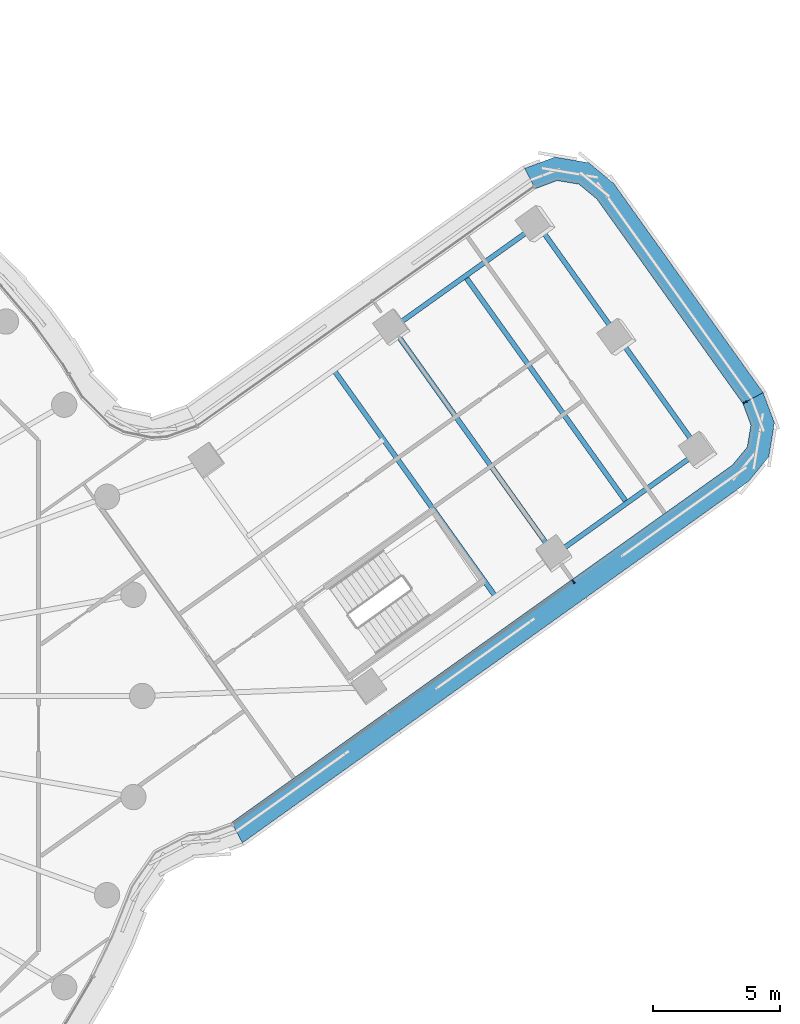
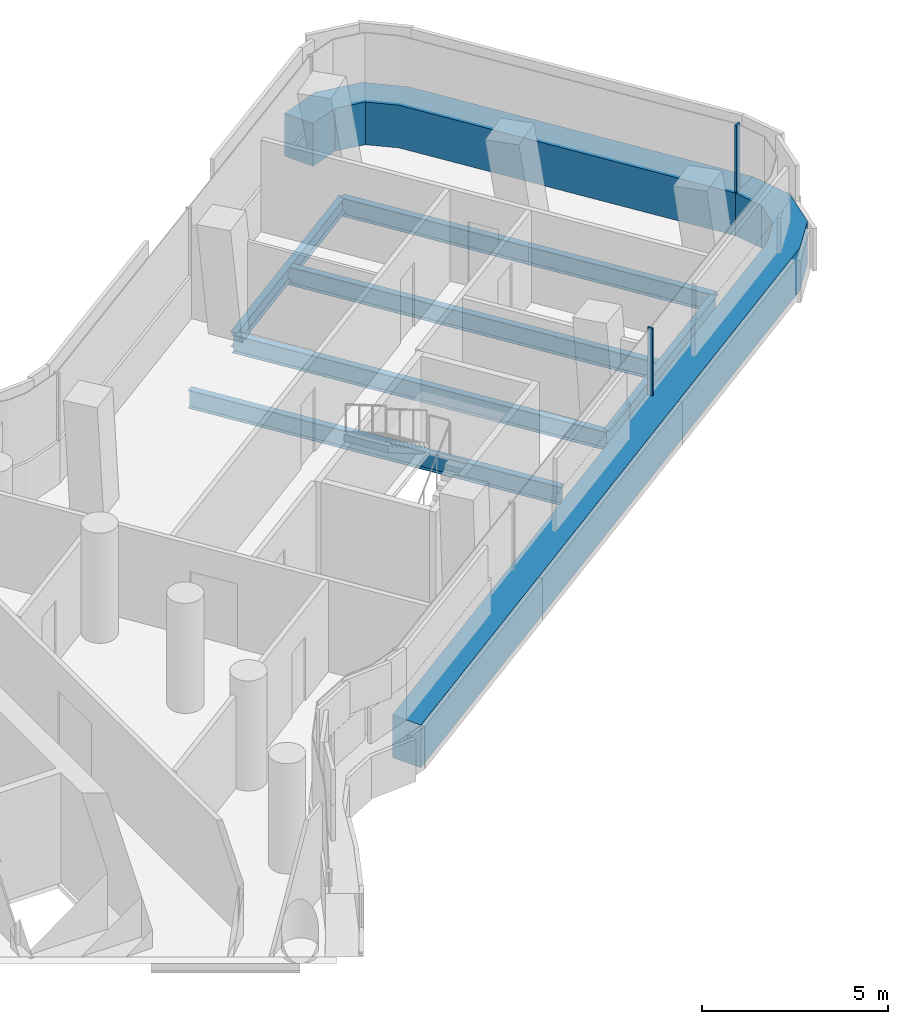
# One storey, part 12 of 31: 7 beams, 4 members, 2 elements without a shape of their own.
"""IFC4 building model written with IfcOpenShell, lengths in metres."""

from ifc_helpers import new_model, si_unit, direction, frame, origin, origin_2d, place, context, subcontext, project, spatial, polyline, rectangle, i_section, outline, extrude, material, layer, layer_set, material_profile, profile_set, type_object, element, aggregate, save


model = new_model("IFC4")

# Units and contexts
model_context = context("Model", 3, precision=1e-05, world=origin(), true_north=direction((0.0, 1.0)))
body_context = subcontext(model_context, "Body", "Model", "MODEL_VIEW")
ifc_project = project(units=[si_unit("LENGTHUNIT", "METRE"), si_unit("AREAUNIT", "SQUARE_METRE"), si_unit("VOLUMEUNIT", "CUBIC_METRE"), si_unit("PLANEANGLEUNIT", "RADIAN"), si_unit("MASSUNIT", "GRAM", prefix="KILO")], contexts=[model_context])

# Site, building, storey
site_placement = place(None, origin())
site = spatial("IfcSite", under=ifc_project, at=site_placement, CompositionType="ELEMENT")
building_placement = place(site_placement, origin())
building = spatial("IfcBuilding", under=site, at=building_placement, Name="Tamarind Cross Interchange Tower", CompositionType="ELEMENT")
storey_placement = place(building_placement, frame((0.0, 0.0, 163.0)))
storey = spatial("IfcBuildingStorey", under=building, at=storey_placement, Name="L40", CompositionType="ELEMENT", Elevation=163.0)

# Beams
ifc_material_1 = material(Name="Steel Q355B", Category="steel")
ifc_material_profile_1 = material_profile(ifc_material_1, i_section(OverallWidth=0.198974609375, OverallDepth=0.49609375, WebThickness=0.009033203125, FlangeThickness=0.013916015625, FilletRadius=0.012939453125, at=origin_2d()), Name="HN 496x199x9x14")
ifc_profile_set_1 = profile_set([ifc_material_profile_1], Name="Steel Q355B")
beam_type_1 = type_object("IfcBeamType", Name="Composite beam HN 496x199x9x14 Q355B", PredefinedType="BEAM", material=ifc_profile_set_1)
for number, where, z_axis, x_axis, name in (
    (1, (45.009033203125, 9.66845703125, -0.387939453125), (-0.813873952861, -0.581041469135, 0.0), (0.581041469135, -0.813873952861, 0.0), "Beam E-edgeem5"),
    (2, (38.61767578125, 18.62109375, -0.387939453125), (-0.813890342448, -0.581018511297, 0.0), (0.581018511297, -0.813890342448, 0.0), "Beam E-edgeep2"),
):
    element("IfcBeam", number, at=place(storey_placement, frame(where, z_axis=z_axis, x_axis=x_axis)), inside=storey, type_object=beam_type_1, Name=name, PredefinedType="BEAM", context=body_context, shape_type="SweptSolid", body=[
        extrude(i_section(OverallWidth=0.198974609375, OverallDepth=0.49609375, WebThickness=0.009033203125, FlangeThickness=0.013916015625, FilletRadius=0.012939453125, at=origin_2d()), origin(), (0.0, 0.0, 1.0), 7.044189453125),
    ])
ifc_material_profile_2 = material_profile(ifc_material_1, i_section(OverallWidth=0.199951171875, OverallDepth=0.60009765625, WebThickness=0.010986328125, FlangeThickness=0.01708984375, FilletRadius=0.012939453125, at=origin_2d()), Name="HN 600x200x11x17")
ifc_profile_set_2 = profile_set([ifc_material_profile_2], Name="Steel Q355B")
beam_type_2 = type_object("IfcBeamType", Name="Composite beam HN 600x200x11x17 Q355B", PredefinedType="BEAM", material=ifc_profile_set_2)
for number, where, z_axis, x_axis, name in (
    (3, (45.009033203125, 9.66845703125, -0.43994140625), (-0.581019822317, 0.813889406538, 0.0), (-0.813889406538, -0.581019822317, 0.0), "Beam E-tip0"),
    (4, (41.8134765625, 14.144775390625, -0.43994140625), (-0.581049225779, 0.813868415176, 0.0), (-0.813868415176, -0.581049225779, 0.0), "Beam E-tip1"),
):
    element("IfcBeam", number, at=place(storey_placement, frame(where, z_axis=z_axis, x_axis=x_axis)), inside=storey, type_object=beam_type_2, Name=name, PredefinedType="BEAM", context=body_context, shape_type="SweptSolid", body=[
        extrude(i_section(OverallWidth=0.199951171875, OverallDepth=0.60009765625, WebThickness=0.010986328125, FlangeThickness=0.01708984375, FilletRadius=0.012939453125, at=origin_2d()), origin(), (0.0, 0.0, 1.0), 5.5),
    ])
beam_1_placement = place(storey_placement, frame((36.956298828125, 3.919677734375, -0.43994140625), z_axis=(-0.581034524332, 0.813878910855, 0.0), x_axis=(-0.813878910855, -0.581034524332, 0.0)))
element("IfcBeam", 5, at=beam_1_placement, inside=storey, type_object=beam_type_2, Name="Beam E-x364", PredefinedType="BEAM", context=body_context, shape_type="SweptSolid", body=[
    extrude(i_section(OverallWidth=0.199951171875, OverallDepth=0.60009765625, WebThickness=0.010986328125, FlangeThickness=0.01708984375, FilletRadius=0.012939453125, at=origin_2d()), origin(), (0.0, 0.0, 1.0), 11.0),
])
beam_2_placement = place(storey_placement, frame((39.27587890625, 5.575439453125, -0.43994140625), z_axis=(-0.581024028793, 0.8138864036, 0.0), x_axis=(-0.8138864036, -0.581024028793, 0.0)))
element("IfcBeam", 6, at=beam_2_placement, inside=storey, type_object=beam_type_2, Name="Beam E-x393", PredefinedType="BEAM", context=body_context, shape_type="SweptSolid", body=[
    extrude(i_section(OverallWidth=0.199951171875, OverallDepth=0.60009765625, WebThickness=0.010986328125, FlangeThickness=0.01708984375, FilletRadius=0.012939453125, at=origin_2d()), origin(), (0.0, 0.0, 1.0), 11.000244140625),
])
beam_3_placement = place(storey_placement, frame((42.142333984375, 7.6220703125, -0.43994140625), z_axis=(-0.581034524332, 0.813878910855, 0.0), x_axis=(-0.813878910855, -0.581034524332, 0.0)))
element("IfcBeam", 7, at=beam_3_placement, inside=storey, type_object=beam_type_2, Name="Beam E-x428", PredefinedType="BEAM", context=body_context, shape_type="SweptSolid", body=[
    extrude(i_section(OverallWidth=0.199951171875, OverallDepth=0.60009765625, WebThickness=0.010986328125, FlangeThickness=0.01708984375, FilletRadius=0.012939453125, at=origin_2d()), origin(), (0.0, 0.0, 1.0), 11.0),
])

# Curtain wall, member
ifc_material_2 = material(Name="Aluminium 6063-T6", Category="aluminium")
ifc_layer = layer(ifc_material_2, 0.159912109375)
ifc_layer_set = layer_set([ifc_layer], Name="Aluminium 6063-T6")
curtain_wall_type = type_object("IfcCurtainWallType", Name="Office curtain wall, 9.0 m bays", PredefinedType="NOTDEFINED", material=ifc_layer_set)
curtain_wall_1_placement = place(storey_placement, origin())
curtain_wall_1 = element("IfcCurtainWall", 8, at=curtain_wall_1_placement, inside=storey, type_object=curtain_wall_type, Name="CWS-L40-03", PredefinedType="NOTDEFINED")
ifc_material_3 = material(Name="Aluminium and insulated spandrel panel", Category="aluminium")
member_type_1 = type_object("IfcMemberType", Name="Floor-edge blade transom", PredefinedType="USERDEFINED", material=ifc_material_3)
member_1_placement = place(storey_placement, origin())
member_1 = element("IfcMember", 9, at=member_1_placement, type_object=member_type_1, Name="CWT-L40-03", ObjectType="TRANSOM", PredefinedType="USERDEFINED", context=body_context, shape_type="SweptSolid", body=[
    extrude(outline(polyline([(26.531982421875, -4.996826171875), (46.31103515625, 9.12353515625), (46.89306640625, 9.830078125), (47.036865234375, 10.692626953125), (46.716064453125, 11.550048828125), (47.517333984375, 11.9765625), (47.96435546875, 10.782470703125), (47.740966796875, 9.444091796875), (46.930419921875, 8.4599609375), (26.95458984375, -5.80078125), (26.531982421875, -4.996826171875)])), origin(), (0.0, 0.0, 1.0), 1.39990234375),
])

curtain_wall_2_placement = place(storey_placement, origin())
curtain_wall_2 = element("IfcCurtainWall", 10, at=curtain_wall_2_placement, inside=storey, type_object=curtain_wall_type, Name="CWS-L40-04", PredefinedType="NOTDEFINED")
member_2_placement = place(storey_placement, origin())
member_2 = element("IfcMember", 11, at=member_2_placement, type_object=member_type_1, Name="CWT-L40-04", ObjectType="TRANSOM", PredefinedType="USERDEFINED", context=body_context, shape_type="SweptSolid", body=[
    extrude(outline(polyline([(46.716064453125, 11.550048828125), (40.95166015625, 19.62451171875), (40.2451171875, 20.20654296875), (39.382568359375, 20.3505859375), (38.52490234375, 20.029541015625), (38.099365234375, 20.8310546875), (39.292724609375, 21.27783203125), (40.631103515625, 21.054443359375), (41.615234375, 20.243896484375), (47.517333984375, 11.9765625), (46.716064453125, 11.550048828125)])), origin(), (0.0, 0.0, 1.0), 1.39990234375),
])

# Member
ifc_material_profile_3 = material_profile(ifc_material_2, rectangle(XDim=0.06005859375, YDim=0.159912109375, at=origin_2d()), Name="Mullion CW1")
ifc_profile_set_3 = profile_set([ifc_material_profile_3], Name="Aluminium 6063-T6")
member_type_2 = type_object("IfcMemberType", Name="Mullion CW1", PredefinedType="MULLION", material=ifc_profile_set_3)
member_3_placement = place(storey_placement, frame((40.023681640625, 4.51220703125, 1.39990234375), z_axis=(0.0, 0.0, 1.0), x_axis=(0.81388031548, 0.581032556811, 0.0)))
member_3 = element("IfcMember", 12, at=member_3_placement, type_object=member_type_2, Name="CWM-L40-03-02", PredefinedType="MULLION", context=body_context, shape_type="SweptSolid", body=[
    extrude(rectangle(XDim=0.06005859375, YDim=0.159912109375, at=origin_2d()), origin(), (0.0, 0.0, 1.0), 2.210205078125),
])

aggregate(curtain_wall_1, [member_3, member_1])

member_4_placement = place(storey_placement, frame((46.80517578125, 11.597412109375, 1.39990234375), z_axis=(0.0, 0.0, 1.0), x_axis=(-0.469829044238, 0.882757423753, 0.0)))
member_4 = element("IfcMember", 13, at=member_4_placement, type_object=member_type_2, Name="CWM-L40-04-00", PredefinedType="MULLION", context=body_context, shape_type="SweptSolid", body=[
    extrude(rectangle(XDim=0.06005859375, YDim=0.159912109375, at=origin_2d()), origin(), (0.0, 0.0, 1.0), 2.210205078125),
])

aggregate(curtain_wall_2, [member_4, member_2])

save(model, "model.ifc")
